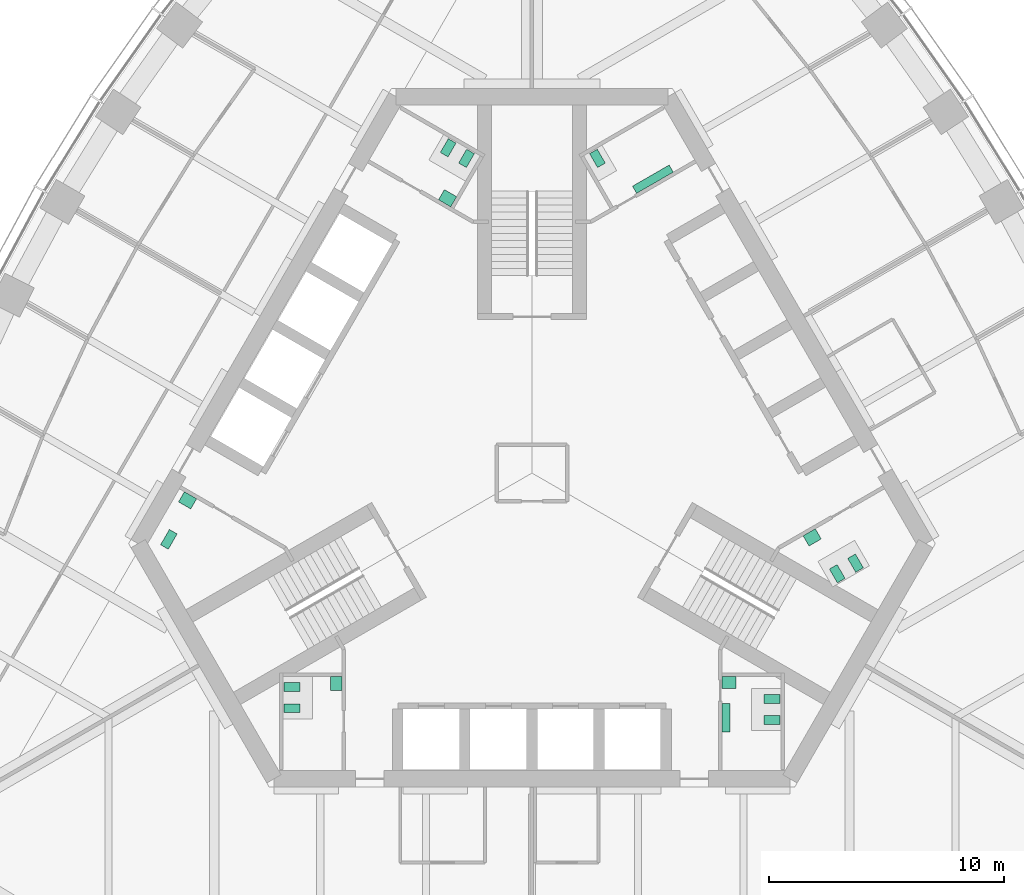
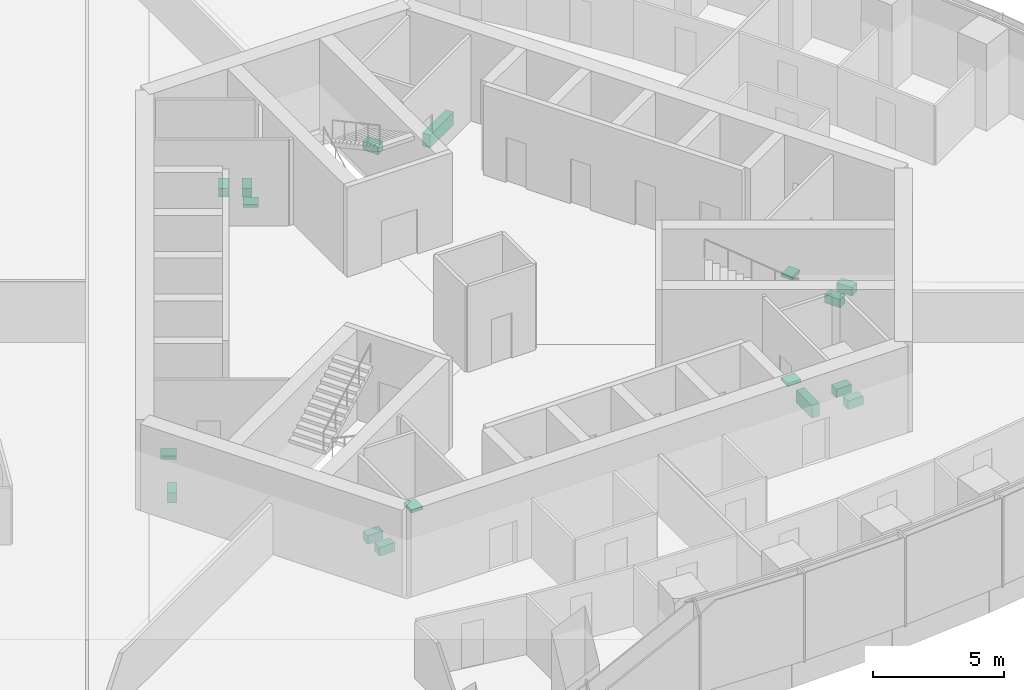
# One storey, part 15 of 16: 17 sanitary terminals.
"""IFC4 building model written with IfcOpenShell, lengths in metres."""

import ifcopenshell
import ifcopenshell.guid

model = None  # the IFC model being written
_history = None  # IfcOwnerHistory: only IFC2X3 demands one
_inside = {}  # id of a spatial element -> (the spatial element, [elements in it])
_under = {}  # id of a project, library or spatial element -> (it, [spatial elements below it])
_declared = {}  # id of a project -> (the project, [libraries it declares])
_typed = {}  # id of a type object -> (the type object, [elements of that type])
_made_of = {}  # id of a material, layer set ... -> (it, [elements and type objects made of it])


def new_model(schema):
    """Start an empty IFC model of exactly this schema.

    Asked for "IFC4X3", IfcOpenShell would pick the latest addendum, in which some entities
    have other attributes; the version numbers below select the first issue.
    IFC2X3 requires an IfcOwnerHistory on every rooted entity: one is made here for all.
    """
    global model, _history
    if schema == "IFC4X3":
        model = ifcopenshell.file(schema_version=(4, 3, 0, 0))
    else:
        model = ifcopenshell.file(schema=schema)
    _inside.clear()
    _under.clear()
    _declared.clear()
    _typed.clear()
    _made_of.clear()
    _history = None
    if model.schema == "IFC2X3":
        org = make("IfcOrganization", Name="unknown")
        user = make(
            "IfcPersonAndOrganization",
            ThePerson=make("IfcPerson", FamilyName="unknown"),
            TheOrganization=org,
        )
        app = make(
            "IfcApplication",
            ApplicationDeveloper=org,
            Version="unknown",
            ApplicationFullName="unknown",
            ApplicationIdentifier="unknown",
        )
        _history = make(
            "IfcOwnerHistory",
            OwningUser=user,
            OwningApplication=app,
            ChangeAction="ADDED",
            CreationDate=0,
        )
    return model


def make(cls, **values):
    """One entity of the class cls with the attributes given. An attribute that is None is left unset."""
    return model.create_entity(
        cls, **{name: value for name, value in values.items() if value is not None}
    )


def rooted(cls, **values):
    """An entity with a GlobalId (a new one), such as an element, a storey or a relation."""
    return make(cls, GlobalId=ifcopenshell.guid.new(), OwnerHistory=_history, **values)


def si_unit(unit_type, name, prefix=None):
    """IfcSIUnit, for example si_unit("LENGTHUNIT", "METRE", prefix="MILLI")."""
    return make("IfcSIUnit", UnitType=unit_type, Prefix=prefix, Name=name)


def assignment(units):
    """IfcUnitAssignment: the units of a project."""
    return None if units is None else make("IfcUnitAssignment", Units=units)


def point(xyz):
    """IfcCartesianPoint."""
    return None if xyz is None else make("IfcCartesianPoint", Coordinates=xyz)


def direction(xyz):
    """IfcDirection."""
    return None if xyz is None else make("IfcDirection", DirectionRatios=xyz)


def frame(location, z_axis=None, x_axis=None):
    """IfcAxis2Placement3D, a coordinate frame: its origin and axes. An axis left out is left unset."""
    return make(
        "IfcAxis2Placement3D",
        Location=point(location),
        Axis=direction(z_axis),
        RefDirection=direction(x_axis),
    )


def origin():
    """The frame at (0, 0, 0) with its axes left unset."""
    return frame((0.0, 0.0, 0.0))


def place(relative_to, where):
    """IfcLocalPlacement: puts the frame where relative to a parent placement (None: the world)."""
    return make(
        "IfcLocalPlacement", PlacementRelTo=relative_to, RelativePlacement=where
    )


def context(
    kind, dimensions, precision=None, world=None, true_north=None, identifier=None
):
    """IfcGeometricRepresentationContext, for example the 3D "Model" context."""
    return make(
        "IfcGeometricRepresentationContext",
        ContextIdentifier=identifier,
        ContextType=kind,
        CoordinateSpaceDimension=dimensions,
        Precision=precision,
        WorldCoordinateSystem=world,
        TrueNorth=true_north,
    )


def subcontext(parent, identifier, kind, view, scale=None):
    """IfcGeometricRepresentationSubContext, for example "Body" below "Model"."""
    return make(
        "IfcGeometricRepresentationSubContext",
        ContextIdentifier=identifier,
        ContextType=kind,
        ParentContext=parent,
        TargetScale=scale,
        TargetView=view,
    )


def project(units=None, contexts=None):
    """IfcProject with its units and contexts."""
    return rooted(
        "IfcProject",
        Name="project",
        RepresentationContexts=contexts,
        UnitsInContext=assignment(units),
    )


def spatial(cls, under=None, at=None, **own):
    """A site, building, storey or space (cls), placed at a placement, below another one or the project."""
    s = rooted(cls, ObjectPlacement=at, **own)
    if under is not None:
        _under.setdefault(under.id(), (under, []))[1].append(s)
    return s


def polyline(points):
    """IfcPolyline through the points."""
    return make("IfcPolyline", Points=[point(p) for p in points])


def outline(outer, holes=None, kind="AREA"):
    """IfcArbitraryClosedProfileDef: a profile drawn as a closed curve; with holes, ...WithVoids."""
    if holes is None:
        return make("IfcArbitraryClosedProfileDef", ProfileType=kind, OuterCurve=outer)
    return make(
        "IfcArbitraryProfileDefWithVoids",
        ProfileType=kind,
        OuterCurve=outer,
        InnerCurves=holes,
    )


def extrude(swept, where, along, depth):
    """IfcExtrudedAreaSolid: the profile swept, set in the frame where, extruded along a direction by depth."""
    return make(
        "IfcExtrudedAreaSolid",
        SweptArea=swept,
        Position=where,
        ExtrudedDirection=direction(along),
        Depth=depth,
    )


def shape(context_of_items, identifier, shape_type, items):
    """IfcShapeRepresentation: the items that make up one representation, for example the "Body"."""
    return make(
        "IfcShapeRepresentation",
        ContextOfItems=context_of_items,
        RepresentationIdentifier=identifier,
        RepresentationType=shape_type,
        Items=items,
    )


def material(Name=None, Category=None):
    """IfcMaterial."""
    return make("IfcMaterial", Name=Name, Category=Category)


def made_of(thing, what):
    """Note that an element or type object is made of a material, layer set ...; save() writes the relation."""
    if what is not None:
        _made_of.setdefault(what.id(), (what, []))[1].append(thing)
    return thing


def type_object(cls, material=None, **own):
    """A type object (cls), such as IfcWallType, which elements share."""
    return made_of(rooted(cls, **own), material)


def element(
    cls,
    number,
    at=None,
    inside=None,
    cuts=None,
    type_object=None,
    material=None,
    context=None,
    identifier="Body",
    shape_type=None,
    held_by="IfcProductDefinitionShape",
    body=None,
    shapes=None,
    **own,
):
    """One element of the class cls, such as IfcWall. Its Tag is "e" and its number.

    at: its placement. inside: the storey or other place that contains it. cuts: it is an
    opening in that element (IfcRelVoidsElement). A single representation is given by context,
    identifier, shape_type and body (its items); several are given by shapes. held_by: the class
    of the entity that holds the representations. save() writes the other relations.
    """
    e = rooted(cls, Tag="e%d" % number, ObjectPlacement=at, **own)
    if body is not None:
        shapes = [shape(context, identifier, shape_type, body)]
    if shapes is not None:
        e.Representation = make(held_by, Representations=shapes)
    if inside is not None:
        _inside.setdefault(inside.id(), (inside, []))[1].append(e)
    if cuts is not None:
        rooted(
            "IfcRelVoidsElement", RelatingBuildingElement=cuts, RelatedOpeningElement=e
        )
    if type_object is not None:
        _typed.setdefault(type_object.id(), (type_object, []))[1].append(e)
    return made_of(e, material)


def aggregate(whole, parts):
    """IfcRelAggregates: a whole, such as a stair, and the parts it consists of."""
    return rooted("IfcRelAggregates", RelatingObject=whole, RelatedObjects=parts)


def save(model, path):
    """Write the relations noted so far, then the file.

    IfcRelAggregates (storeys below a building ...), IfcRelContainedInSpatialStructure (elements
    in a storey), IfcRelDefinesByType, IfcRelAssociatesMaterial and IfcRelDeclares: one each for
    every whole, place, type object, material and project.
    """
    for whole, parts in _under.values():
        aggregate(whole, parts)
    for where, things in _inside.values():
        rooted(
            "IfcRelContainedInSpatialStructure",
            RelatedElements=things,
            RelatingStructure=where,
        )
    for kind, things in _typed.values():
        rooted("IfcRelDefinesByType", RelatedObjects=things, RelatingType=kind)
    for what, things in _made_of.values():
        rooted("IfcRelAssociatesMaterial", RelatedObjects=things, RelatingMaterial=what)
    for by, libraries in _declared.values():
        rooted("IfcRelDeclares", RelatingContext=by, RelatedDefinitions=libraries)
    model.write(path)


model = new_model("IFC4")

# Units and contexts
model_context = context("Model", 3, precision=1e-05, world=origin(), true_north=direction((0.0, 1.0)))
body_context = subcontext(model_context, "Body", "Model", "MODEL_VIEW")
ifc_project = project(units=[si_unit("LENGTHUNIT", "METRE"), si_unit("AREAUNIT", "SQUARE_METRE"), si_unit("VOLUMEUNIT", "CUBIC_METRE"), si_unit("PLANEANGLEUNIT", "RADIAN"), si_unit("MASSUNIT", "GRAM", prefix="KILO")], contexts=[model_context])

# Site, building, storey
site_placement = place(None, origin())
site = spatial("IfcSite", under=ifc_project, at=site_placement, CompositionType="ELEMENT")
building_placement = place(site_placement, origin())
building = spatial("IfcBuilding", under=site, at=building_placement, Name="Trefoil Bronze Tower", CompositionType="ELEMENT")
storey_placement = place(building_placement, frame((0.0, 0.0, 284.699951171875)))
storey = spatial("IfcBuildingStorey", under=building, at=storey_placement, Name="L65", CompositionType="ELEMENT", Elevation=284.699951171875)

# Sanitary terminals
ifc_material_1 = material(Name="Vitreous china", Category="ceramic")
sanitary_terminal_type_1 = type_object("IfcSanitaryTerminalType", Name="Accessible WC pan", PredefinedType="TOILETPAN", material=ifc_material_1)
sanitary_terminal_1_placement = place(storey_placement, origin())
element("IfcSanitaryTerminal", 1, at=sanitary_terminal_1_placement, inside=storey, type_object=sanitary_terminal_type_1, Name="WC pan 1 Accessible WC L65", PredefinedType="TOILETPAN", context=body_context, shape_type="SweptSolid", body=[
    extrude(outline(polyline([(-15.085693359375, -2.589111328125), (-15.460693359375, -3.238525390625), (-15.789794921875, -3.048583984375), (-15.414794921875, -2.399169921875), (-15.085693359375, -2.589111328125)])), origin(), (0.0, 0.0, 1.0), 0.449951171875),
])
ifc_material_2 = material(Name="Vitreous china", Category="ceramic")
sanitary_terminal_type_2 = type_object("IfcSanitaryTerminalType", Name="Accessible basin", PredefinedType="WASHHANDBASIN", material=ifc_material_2)
sanitary_terminal_2_placement = place(storey_placement, frame((0.0, 0.0, 0.650146484375)))
element("IfcSanitaryTerminal", 2, at=sanitary_terminal_2_placement, inside=storey, type_object=sanitary_terminal_type_2, Name="Wash basin Accessible WC L65", PredefinedType="WASHHANDBASIN", context=body_context, shape_type="SweptSolid", body=[
    extrude(outline(polyline([(-14.256591796875, -1.09326171875), (-14.506591796875, -1.526123046875), (-15.026123046875, -1.22607421875), (-14.776123046875, -0.793212890625), (-14.256591796875, -1.09326171875)])), origin(), (0.0, 0.0, 1.0), 0.14990234375),
])
ifc_material_3 = material(Name="Vitreous china", Category="ceramic")
sanitary_terminal_type_3 = type_object("IfcSanitaryTerminalType", Name="Urinal range 2 urinals", PredefinedType="URINAL", material=ifc_material_3)
sanitary_terminal_3_placement = place(storey_placement, frame((0.0, 0.0, 0.400146484375)))
element("IfcSanitaryTerminal", 3, at=sanitary_terminal_3_placement, inside=storey, type_object=sanitary_terminal_type_3, Name="Urinal range WC (men) L65", PredefinedType="URINAL", context=body_context, shape_type="SweptSolid", body=[
    extrude(outline(polyline([(8.074951171875, -9.800048828125), (8.425048828125, -9.800048828125), (8.425048828125, -11.0), (8.074951171875, -11.0), (8.074951171875, -9.800048828125)])), origin(), (0.0, 0.0, 1.0), 0.599853515625),
])
ifc_material_4 = material(Name="Vitreous china", Category="ceramic")
sanitary_terminal_type_4 = type_object("IfcSanitaryTerminalType", Name="Urinal range 3 urinals", PredefinedType="URINAL", material=ifc_material_4)
sanitary_terminal_4_placement = place(storey_placement, frame((0.0, 0.0, 0.400146484375)))
element("IfcSanitaryTerminal", 4, at=sanitary_terminal_4_placement, inside=storey, type_object=sanitary_terminal_type_4, Name="Urinal range WC (men) L65", PredefinedType="URINAL", context=body_context, shape_type="SweptSolid", body=[
    extrude(outline(polyline([(4.449462890625, 11.89306640625), (4.274658203125, 12.1962890625), (5.83349609375, 13.09619140625), (6.00830078125, 12.793212890625), (4.449462890625, 11.89306640625)])), origin(), (0.0, 0.0, 1.0), 0.599853515625),
])
ifc_material_5 = material(Name="Solid surface vanity", Category="plastic")
sanitary_terminal_type_5 = type_object("IfcSanitaryTerminalType", Name="Vanity unit 1 basins", PredefinedType="WASHHANDBASIN", material=ifc_material_5)
sanitary_terminal_5_placement = place(storey_placement, frame((0.0, 0.0, 0.75)))
element("IfcSanitaryTerminal", 5, at=sanitary_terminal_5_placement, inside=storey, type_object=sanitary_terminal_type_5, Name="Vanity unit WC (men) L65", PredefinedType="WASHHANDBASIN", context=body_context, shape_type="SweptSolid", body=[
    extrude(outline(polyline([(8.074951171875, -8.64990234375), (8.675048828125, -8.64990234375), (8.675048828125, -9.14990234375), (8.074951171875, -9.14990234375), (8.074951171875, -8.64990234375)])), origin(), (0.0, 0.0, 1.0), 0.150146484375),
])
sanitary_terminal_6_placement = place(storey_placement, frame((0.0, 0.0, 0.75)))
element("IfcSanitaryTerminal", 6, at=sanitary_terminal_6_placement, inside=storey, type_object=sanitary_terminal_type_5, Name="Vanity unit WC (women) L65", PredefinedType="WASHHANDBASIN", context=body_context, shape_type="SweptSolid", body=[
    extrude(outline(polyline([(11.528564453125, -2.668212890625), (11.778564453125, -3.10107421875), (12.29833984375, -2.80126953125), (12.04833984375, -2.3681640625), (11.528564453125, -2.668212890625)])), origin(), (0.0, 0.0, 1.0), 0.150146484375),
])
sanitary_terminal_7_placement = place(storey_placement, frame((0.0, 0.0, 0.75)))
element("IfcSanitaryTerminal", 7, at=sanitary_terminal_7_placement, inside=storey, type_object=sanitary_terminal_type_5, Name="Vanity unit WC (women) L65", PredefinedType="WASHHANDBASIN", context=body_context, shape_type="SweptSolid", body=[
    extrude(outline(polyline([(-3.45361328125, 11.318115234375), (-3.20361328125, 11.751220703125), (-3.72314453125, 12.05126953125), (-3.97314453125, 11.6181640625), (-3.45361328125, 11.318115234375)])), origin(), (0.0, 0.0, 1.0), 0.150146484375),
])
sanitary_terminal_8_placement = place(storey_placement, frame((0.0, 0.0, 0.75)))
element("IfcSanitaryTerminal", 8, at=sanitary_terminal_8_placement, inside=storey, type_object=sanitary_terminal_type_5, Name="Vanity unit WC (women) L65", PredefinedType="WASHHANDBASIN", context=body_context, shape_type="SweptSolid", body=[
    extrude(outline(polyline([(-8.074951171875, -8.64990234375), (-8.574951171875, -8.64990234375), (-8.574951171875, -9.25), (-8.074951171875, -9.25), (-8.074951171875, -8.64990234375)])), origin(), (0.0, 0.0, 1.0), 0.150146484375),
])
ifc_material_6 = material(Name="Vitreous china", Category="ceramic")
sanitary_terminal_type_6 = type_object("IfcSanitaryTerminalType", Name="WC pan", PredefinedType="TOILETPAN", material=ifc_material_6)
sanitary_terminal_9_placement = place(storey_placement, origin())
element("IfcSanitaryTerminal", 9, at=sanitary_terminal_9_placement, inside=storey, type_object=sanitary_terminal_type_6, Name="WC pan 1 WC (men) L65", PredefinedType="TOILETPAN", context=body_context, shape_type="SweptSolid", body=[
    extrude(outline(polyline([(9.85498046875, -9.409912109375), (10.534912109375, -9.409912109375), (10.534912109375, -9.7900390625), (9.85498046875, -9.7900390625), (9.85498046875, -9.409912109375)])), origin(), (0.0, 0.0, 1.0), 0.400146484375),
])
sanitary_terminal_10_placement = place(storey_placement, origin())
element("IfcSanitaryTerminal", 10, at=sanitary_terminal_10_placement, inside=storey, type_object=sanitary_terminal_type_6, Name="WC pan 2 WC (men) L65", PredefinedType="TOILETPAN", context=body_context, shape_type="SweptSolid", body=[
    extrude(outline(polyline([(9.85498046875, -10.31005859375), (10.534912109375, -10.31005859375), (10.534912109375, -10.68994140625), (9.85498046875, -10.68994140625), (9.85498046875, -10.31005859375)])), origin(), (0.0, 0.0, 1.0), 0.400146484375),
])
sanitary_terminal_11_placement = place(storey_placement, origin())
element("IfcSanitaryTerminal", 11, at=sanitary_terminal_11_placement, inside=storey, type_object=sanitary_terminal_type_6, Name="WC pan 1 WC (women) L65", PredefinedType="TOILETPAN", context=body_context, shape_type="SweptSolid", body=[
    extrude(outline(polyline([(12.643798828125, -4.07958984375), (12.98388671875, -4.66845703125), (13.31298828125, -4.478515625), (12.972900390625, -3.8896484375), (12.643798828125, -4.07958984375)])), origin(), (0.0, 0.0, 1.0), 0.400146484375),
])
sanitary_terminal_12_placement = place(storey_placement, origin())
element("IfcSanitaryTerminal", 12, at=sanitary_terminal_12_placement, inside=storey, type_object=sanitary_terminal_type_6, Name="WC pan 2 WC (women) L65", PredefinedType="TOILETPAN", context=body_context, shape_type="SweptSolid", body=[
    extrude(outline(polyline([(13.423095703125, -3.629638671875), (13.76318359375, -4.218505859375), (14.09228515625, -4.028564453125), (13.752197265625, -3.439697265625), (13.423095703125, -3.629638671875)])), origin(), (0.0, 0.0, 1.0), 0.400146484375),
])
sanitary_terminal_13_placement = place(storey_placement, origin())
element("IfcSanitaryTerminal", 13, at=sanitary_terminal_13_placement, inside=storey, type_object=sanitary_terminal_type_6, Name="WC pan 1 WC (men) L65", PredefinedType="TOILETPAN", context=body_context, shape_type="SweptSolid", body=[
    extrude(outline(polyline([(2.788818359375, 12.98974609375), (2.44873046875, 13.57861328125), (2.77783203125, 13.7685546875), (3.117919921875, 13.1796875), (2.788818359375, 12.98974609375)])), origin(), (0.0, 0.0, 1.0), 0.400146484375),
])
sanitary_terminal_14_placement = place(storey_placement, origin())
element("IfcSanitaryTerminal", 14, at=sanitary_terminal_14_placement, inside=storey, type_object=sanitary_terminal_type_6, Name="WC pan 1 WC (women) L65", PredefinedType="TOILETPAN", context=body_context, shape_type="SweptSolid", body=[
    extrude(outline(polyline([(-2.788818359375, 12.98974609375), (-2.44873046875, 13.57861328125), (-2.77783203125, 13.7685546875), (-3.117919921875, 13.1796875), (-2.788818359375, 12.98974609375)])), origin(), (0.0, 0.0, 1.0), 0.400146484375),
])
sanitary_terminal_15_placement = place(storey_placement, origin())
element("IfcSanitaryTerminal", 15, at=sanitary_terminal_15_placement, inside=storey, type_object=sanitary_terminal_type_6, Name="WC pan 2 WC (women) L65", PredefinedType="TOILETPAN", context=body_context, shape_type="SweptSolid", body=[
    extrude(outline(polyline([(-3.568115234375, 13.439697265625), (-3.228271484375, 14.028564453125), (-3.557373046875, 14.218505859375), (-3.897216796875, 13.629638671875), (-3.568115234375, 13.439697265625)])), origin(), (0.0, 0.0, 1.0), 0.400146484375),
])
sanitary_terminal_16_placement = place(storey_placement, origin())
element("IfcSanitaryTerminal", 16, at=sanitary_terminal_16_placement, inside=storey, type_object=sanitary_terminal_type_6, Name="WC pan 1 WC (women) L65", PredefinedType="TOILETPAN", context=body_context, shape_type="SweptSolid", body=[
    extrude(outline(polyline([(-9.85498046875, -8.909912109375), (-10.534912109375, -8.909912109375), (-10.534912109375, -9.2900390625), (-9.85498046875, -9.2900390625), (-9.85498046875, -8.909912109375)])), origin(), (0.0, 0.0, 1.0), 0.400146484375),
])
sanitary_terminal_17_placement = place(storey_placement, origin())
element("IfcSanitaryTerminal", 17, at=sanitary_terminal_17_placement, inside=storey, type_object=sanitary_terminal_type_6, Name="WC pan 2 WC (women) L65", PredefinedType="TOILETPAN", context=body_context, shape_type="SweptSolid", body=[
    extrude(outline(polyline([(-9.85498046875, -9.81005859375), (-10.534912109375, -9.81005859375), (-10.534912109375, -10.18994140625), (-9.85498046875, -10.18994140625), (-9.85498046875, -9.81005859375)])), origin(), (0.0, 0.0, 1.0), 0.400146484375),
])

save(model, "model.ifc")
